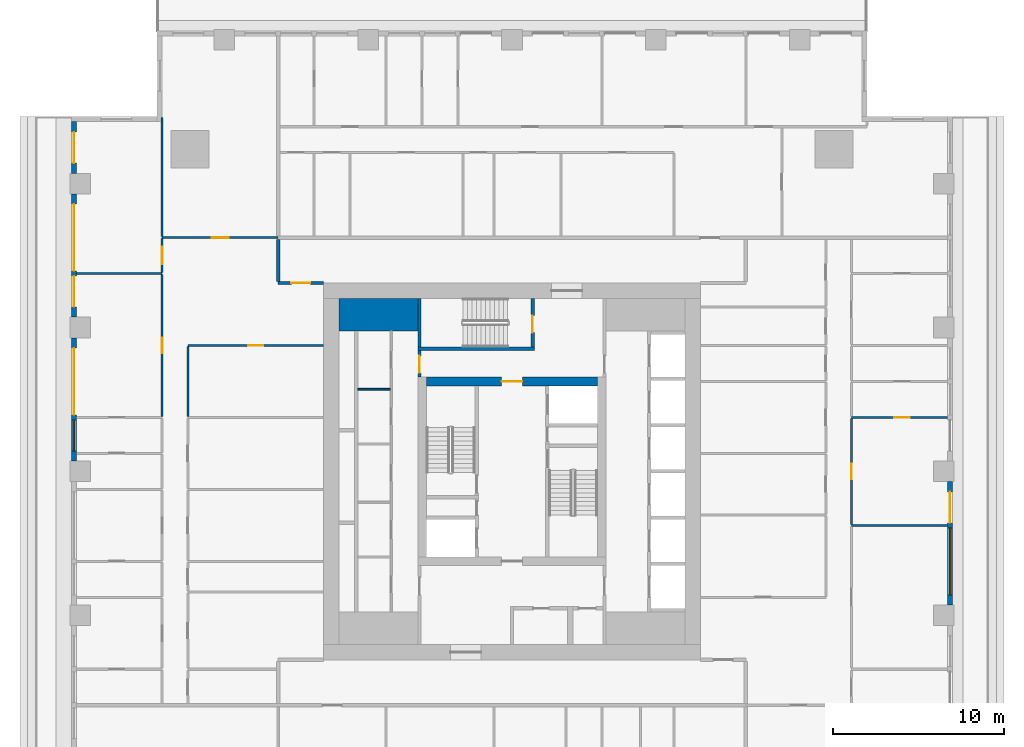
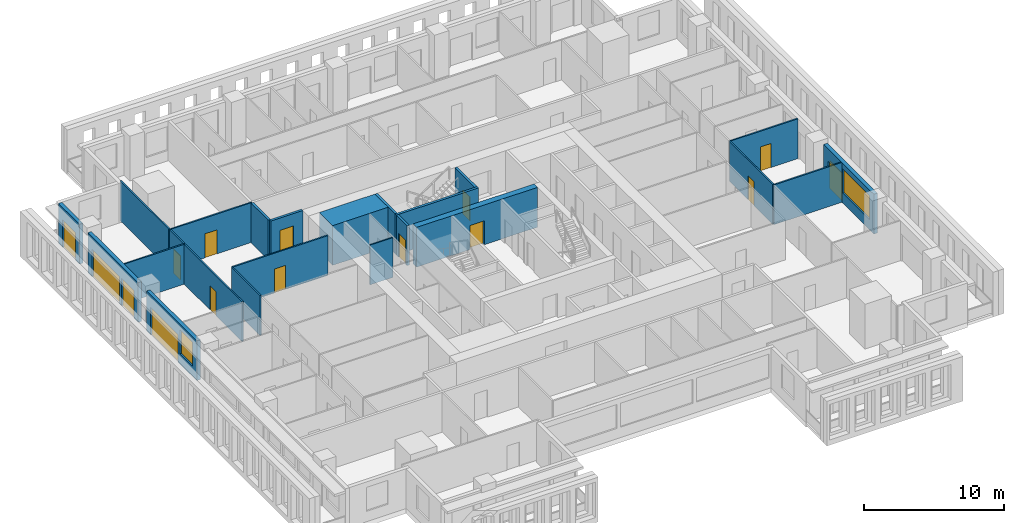
# One storey, part 6 of 14: 23 walls, 15 doors, 2 windows, 17 openings.
"""IFC4 building model written with IfcOpenShell, lengths in metres."""

from ifc_helpers import new_model, si_unit, direction, frame, frame_2d, origin, place, context, subcontext, project, spatial, rectangle, extrude, material, layer, layer_set, type_object, element, fill, save


model = new_model("IFC4")

# Units and contexts
model_context = context("Model", 3, precision=1e-05, world=origin(), true_north=direction((0.0, 1.0)))
body_context = subcontext(model_context, "Body", "Model", "MODEL_VIEW")
ifc_project = project(units=[si_unit("LENGTHUNIT", "METRE"), si_unit("AREAUNIT", "SQUARE_METRE"), si_unit("VOLUMEUNIT", "CUBIC_METRE"), si_unit("PLANEANGLEUNIT", "RADIAN"), si_unit("MASSUNIT", "GRAM", prefix="KILO")], contexts=[model_context])

# Site, building, storey
site_placement = place(None, origin())
site = spatial("IfcSite", under=ifc_project, at=site_placement, CompositionType="ELEMENT")
building_placement = place(site_placement, origin())
building = spatial("IfcBuilding", under=site, at=building_placement, Name="Khepri Terraces", CompositionType="ELEMENT")
storey_placement = place(building_placement, frame((0.0, 0.0, 267.89990234375)))
storey = spatial("IfcBuildingStorey", under=building, at=storey_placement, Name="L64", CompositionType="ELEMENT", Elevation=267.89990234375)

# Walls
ifc_material_1 = material(Name="Concrete C40/50", Category="concrete")
ifc_layer_1 = layer(ifc_material_1, 1.89990234375, Name="Concrete C40/50", Category="concrete")
ifc_layer_set_1 = layer_set([ifc_layer_1], Name="Concrete C40/50")
wall_type_1 = type_object("IfcWallType", Name="Core wall 1900 C40/50", PredefinedType="SHEAR", material=ifc_layer_set_1)
wall_1_placement = place(storey_placement, frame((-10.10009765625, 9.14990234375, 0.0), z_axis=(0.0, 0.0, 1.0), x_axis=(1.0, 0.0, 0.0)))
element("IfcWall", 1, at=wall_1_placement, inside=storey, type_object=wall_type_1, Name="Core wall PR03 L64", PredefinedType="SHEAR", context=body_context, shape_type="SweptSolid", body=[
    extrude(rectangle(XDim=4.60009765625, YDim=1.89990234375, at=frame_2d((2.300048828125, 0.0))), origin(), (0.0, 0.0, 1.0), 3.47998046875),
])
ifc_layer_2 = layer(ifc_material_1, 0.199951171875, Name="Concrete C40/50", Category="concrete")
ifc_layer_set_2 = layer_set([ifc_layer_2], Name="Concrete C40/50")
wall_type_2 = type_object("IfcWallType", Name="Core wall 200 C40/50", PredefinedType="SHEAR", material=ifc_layer_set_2)
wall_2_placement = place(storey_placement, frame((-5.5, 7.14990234375, 0.0), z_axis=(0.0, 0.0, 1.0), x_axis=(1.0, 0.0, 0.0)))
element("IfcWall", 2, at=wall_2_placement, inside=storey, type_object=wall_type_2, Name="Core wall ST05 L64", PredefinedType="SHEAR", context=body_context, shape_type="SweptSolid", body=[
    extrude(rectangle(XDim=6.800048828125, YDim=0.199951171875, at=frame_2d((3.39990234375, 0.0))), origin(), (0.0, 0.0, 1.0), 3.47998046875),
])
wall_3_placement = place(storey_placement, frame((-5.39990234375, 7.25, 0.0), z_axis=(0.0, 0.0, 1.0), x_axis=(0.0, 1.0, 0.0)))
element("IfcWall", 3, at=wall_3_placement, inside=storey, type_object=wall_type_2, Name="Core wall ST06 L64", PredefinedType="SHEAR", context=body_context, shape_type="SweptSolid", body=[
    extrude(rectangle(XDim=2.85009765625, YDim=0.199951171875, at=frame_2d((1.425048828125, 0.0))), origin(), (0.0, 0.0, 1.0), 3.47998046875),
])

# Wall, opening, door
wall_4_placement = place(storey_placement, frame((1.199951171875, 7.25, 0.0), z_axis=(0.0, 0.0, 1.0), x_axis=(0.0, 1.0, 0.0)))
wall_4 = element("IfcWall", 4, at=wall_4_placement, inside=storey, type_object=wall_type_2, Name="Core wall ST07 L64", PredefinedType="SHEAR", context=body_context, shape_type="SweptSolid", body=[
    extrude(rectangle(XDim=2.85009765625, YDim=0.199951171875, at=frame_2d((1.425048828125, 0.0))), origin(), (0.0, 0.0, 1.0), 3.47998046875),
])
opening_1_placement = place(wall_4_placement, frame((0.85009765625, 0.0, 0.0)))
opening_1 = element("IfcOpeningElement", 5, at=opening_1_placement, cuts=wall_4, Name="Opening L64-C15", PredefinedType="OPENING", context=body_context, shape_type="SweptSolid", body=[
    extrude(rectangle(XDim=1.0, YDim=2.10009765625, at=frame_2d((0.5, 1.050048828125))), frame((0.0, 0.10986328125, 0.0), z_axis=(0.0, -1.0, 0.0), x_axis=(1.0, 0.0, 0.0)), (0.0, 0.0, 1.0), 0.219970703125),
])
ifc_material_2 = material(Name="Painted steel", Category="steel")
door_type_1 = type_object("IfcDoorType", Name="DR-CORE-STAIR-1000", OperationType="NOTDEFINED", PredefinedType="DOOR", material=ifc_material_2)
door_1_placement = place(opening_1_placement, origin())
door_1 = element("IfcDoor", 6, at=door_1_placement, inside=storey, type_object=door_type_1, Name="Stair door L64-C15", OperationType="SINGLE_SWING_LEFT", OverallHeight=2.10009765625, OverallWidth=1.0, PredefinedType="DOOR", context=body_context, shape_type="SweptSolid", body=[
    extrude(rectangle(XDim=1.0, YDim=2.10009765625, at=frame_2d((0.5, 1.050048828125))), frame((0.0, 0.02490234375, 0.0), z_axis=(0.0, -1.0, 0.0), x_axis=(1.0, 0.0, 0.0)), (0.0, 0.0, 1.0), 0.050048828125),
])
fill(opening_1, door_1)

ifc_layer_3 = layer(ifc_material_1, 0.5, Name="Concrete C40/50", Category="concrete")
ifc_layer_set_3 = layer_set([ifc_layer_3], Name="Concrete C40/50")
wall_type_3 = type_object("IfcWallType", Name="Core wall 500 C40/50", PredefinedType="SHEAR", material=ifc_layer_set_3)
wall_5_placement = place(storey_placement, frame((-5.0, 5.25, 0.0), z_axis=(0.0, 0.0, 1.0), x_axis=(1.0, 0.0, 0.0)))
wall_5 = element("IfcWall", 7, at=wall_5_placement, inside=storey, type_object=wall_type_3, Name="Core wall BX04 L64", PredefinedType="SHEAR", context=body_context, shape_type="SweptSolid", body=[
    extrude(rectangle(XDim=10.0, YDim=0.5, at=frame_2d((5.0, 0.0))), origin(), (0.0, 0.0, 1.0), 3.47998046875),
])
opening_2_placement = place(wall_5_placement, frame((4.39990234375, 0.0, 0.0)))
opening_2 = element("IfcOpeningElement", 8, at=opening_2_placement, cuts=wall_5, Name="Opening L64-C13", PredefinedType="OPENING", context=body_context, shape_type="SweptSolid", body=[
    extrude(rectangle(XDim=1.199951171875, YDim=2.10009765625, at=frame_2d((0.60009765625, 1.050048828125))), frame((0.0, 0.260009765625, 0.0), z_axis=(0.0, -1.0, 0.0), x_axis=(1.0, 0.0, 0.0)), (0.0, 0.0, 1.0), 0.52001953125),
])
door_type_2 = type_object("IfcDoorType", Name="DR-CORE-FF-LOBBY-1200", OperationType="NOTDEFINED", PredefinedType="DOOR", material=ifc_material_2)
door_2_placement = place(opening_2_placement, frame((1.199951171875, 0.0, 0.0), z_axis=(0.0, 0.0, 1.0), x_axis=(-1.0, 0.0, 0.0)))
door_2 = element("IfcDoor", 9, at=door_2_placement, inside=storey, type_object=door_type_2, Name="Firefighting lobby door L64-C13", OperationType="SINGLE_SWING_LEFT", OverallHeight=2.10009765625, OverallWidth=1.199951171875, PredefinedType="DOOR", context=body_context, shape_type="SweptSolid", body=[
    extrude(rectangle(XDim=1.199951171875, YDim=2.10009765625, at=frame_2d((0.60009765625, 1.050048828125))), frame((0.0, 0.02490234375, 0.0), z_axis=(0.0, -1.0, 0.0), x_axis=(1.0, 0.0, 0.0)), (0.0, 0.0, 1.0), 0.050048828125),
])
fill(opening_2, door_2)

# Wall
ifc_material_3 = material(Name="Fire-rated gypsum board partition")
ifc_layer_4 = layer(ifc_material_3, 0.10009765625, Name="Fire-rated gypsum board partition")
ifc_layer_set_4 = layer_set([ifc_layer_4], Name="Fire-rated gypsum board partition")
wall_type_4 = type_object("IfcWallType", Name="WL-CORE-PART-100", PredefinedType="PARTITIONING", material=ifc_layer_set_4)
wall_6_placement = place(storey_placement, frame((-9.0, 4.800048828125, 0.0), z_axis=(0.0, 0.0, 1.0), x_axis=(1.0, 0.0, 0.0)))
element("IfcWall", 10, at=wall_6_placement, inside=storey, type_object=wall_type_4, Name="Core partition PT11 L64", PredefinedType="PARTITIONING", context=body_context, shape_type="SweptSolid", body=[
    extrude(rectangle(XDim=1.89990234375, YDim=0.10009765625, at=frame_2d((0.949951171875, 0.0))), origin(), (0.0, 0.0, 1.0), 3.47998046875),
])

# Wall, opening, door
ifc_layer_5 = layer(ifc_material_3, 0.199951171875, Name="Fire-rated gypsum board partition")
ifc_layer_set_5 = layer_set([ifc_layer_5], Name="Fire-rated gypsum board partition")
wall_type_5 = type_object("IfcWallType", Name="WL-CORE-PART-200", PredefinedType="PARTITIONING", material=ifc_layer_set_5)
wall_7_placement = place(storey_placement, frame((-5.39990234375, 5.5, 0.0), z_axis=(0.0, 0.0, 1.0), x_axis=(0.0, 1.0, 0.0)))
wall_7 = element("IfcWall", 11, at=wall_7_placement, inside=storey, type_object=wall_type_5, Name="Core partition PT12 L64", PredefinedType="PARTITIONING", context=body_context, shape_type="SweptSolid", body=[
    extrude(rectangle(XDim=1.550048828125, YDim=0.199951171875, at=frame_2d((0.77490234375, 0.0))), origin(), (0.0, 0.0, 1.0), 3.47998046875),
])
opening_3_placement = place(wall_7_placement, frame((0.25, 0.0, 0.0)))
opening_3 = element("IfcOpeningElement", 12, at=opening_3_placement, cuts=wall_7, Name="Opening L64-C16", PredefinedType="OPENING", context=body_context, shape_type="SweptSolid", body=[
    extrude(rectangle(XDim=1.0, YDim=2.10009765625, at=frame_2d((0.5, 1.050048828125))), frame((0.0, 0.10986328125, 0.0), z_axis=(0.0, -1.0, 0.0), x_axis=(1.0, 0.0, 0.0)), (0.0, 0.0, 1.0), 0.219970703125),
])
door_type_3 = type_object("IfcDoorType", Name="DR-CORE-LOBBY-1000", OperationType="NOTDEFINED", PredefinedType="DOOR", material=ifc_material_2)
door_3_placement = place(opening_3_placement, frame((1.0, 0.0, 0.0), z_axis=(0.0, 0.0, 1.0), x_axis=(-1.0, 0.0, 0.0)))
door_3 = element("IfcDoor", 13, at=door_3_placement, inside=storey, type_object=door_type_3, Name="Lobby door L64-C16", OperationType="SINGLE_SWING_RIGHT", OverallHeight=2.10009765625, OverallWidth=1.0, PredefinedType="DOOR", context=body_context, shape_type="SweptSolid", body=[
    extrude(rectangle(XDim=1.0, YDim=2.10009765625, at=frame_2d((0.5, 1.050048828125))), frame((0.0, 0.02490234375, 0.0), z_axis=(0.0, -1.0, 0.0), x_axis=(1.0, 0.0, 0.0)), (0.0, 0.0, 1.0), 0.050048828125),
])
fill(opening_3, door_3)

ifc_material_4 = material(Name="Fire-rated gypsum plasterboard partition, mineral wool")
ifc_layer_6 = layer(ifc_material_4, 0.199951171875, Name="Fire-rated gypsum plasterboard partition, mineral wool")
ifc_layer_set_6 = layer_set([ifc_layer_6], Name="Fire-rated gypsum plasterboard partition, mineral wool")
wall_type_6 = type_object("IfcWallType", Name="WL-CORR-200", PredefinedType="PARTITIONING", material=ifc_layer_set_6)
wall_8_placement = place(storey_placement, frame((-13.64990234375, 11.0, 0.0), z_axis=(0.0, 0.0, 1.0), x_axis=(1.0, 0.0, 0.0)))
wall_8 = element("IfcWall", 14, at=wall_8_placement, inside=storey, type_object=wall_type_6, Name="Partition P-072 L64", PredefinedType="PARTITIONING", context=body_context, shape_type="SweptSolid", body=[
    extrude(rectangle(XDim=2.64990234375, YDim=0.199951171875, at=frame_2d((1.324951171875, 0.0))), origin(), (0.0, 0.0, 1.0), 3.47998046875),
])
opening_4_placement = place(wall_8_placement, frame((0.77490234375, 0.0, 0.0)))
opening_4 = element("IfcOpeningElement", 15, at=opening_4_placement, cuts=wall_8, Name="Opening D1", PredefinedType="OPENING", context=body_context, shape_type="SweptSolid", body=[
    extrude(rectangle(XDim=1.10009765625, YDim=2.39990234375, at=frame_2d((0.550048828125, 1.199951171875))), frame((0.0, 0.10986328125, 0.0), z_axis=(0.0, -1.0, 0.0), x_axis=(1.0, 0.0, 0.0)), (0.0, 0.0, 1.0), 0.219970703125),
])
ifc_material_5 = material(Name="Solid-core timber door leaf, flat entrance door", Category="wood")
door_type_4 = type_object("IfcDoorType", Name="DR-ENT-1100", OperationType="NOTDEFINED", PredefinedType="DOOR", material=ifc_material_5)
door_4_placement = place(opening_4_placement, frame((1.10009765625, 0.0, 0.0), z_axis=(0.0, 0.0, 1.0), x_axis=(-1.0, 0.0, 0.0)))
door_4 = element("IfcDoor", 16, at=door_4_placement, inside=storey, type_object=door_type_4, Name="Flat D1 entrance door", OperationType="SINGLE_SWING_LEFT", OverallHeight=2.39990234375, OverallWidth=1.10009765625, PredefinedType="DOOR", context=body_context, shape_type="SweptSolid", body=[
    extrude(rectangle(XDim=1.10009765625, YDim=2.39990234375, at=frame_2d((0.550048828125, 1.199951171875))), frame((0.0, 0.02490234375, 0.0), z_axis=(0.0, -1.0, 0.0), x_axis=(1.0, 0.0, 0.0)), (0.0, 0.0, 1.0), 0.050048828125),
])
fill(opening_4, door_4)

# Wall
wall_9_placement = place(storey_placement, frame((-13.64990234375, 11.10009765625, 0.0), z_axis=(0.0, 0.0, 1.0), x_axis=(0.0, 1.0, 0.0)))
element("IfcWall", 17, at=wall_9_placement, inside=storey, type_object=wall_type_6, Name="Partition P-074 L64", PredefinedType="PARTITIONING", context=body_context, shape_type="SweptSolid", body=[
    extrude(rectangle(XDim=2.449951171875, YDim=0.199951171875, at=frame_2d((1.22509765625, 0.0))), origin(), (0.0, 0.0, 1.0), 3.47998046875),
])

# Wall, openings, door, window
ifc_material_6 = material(Name="Precast concrete C50/60 warm stone", Category="masonry")
ifc_layer_7 = layer(ifc_material_6, 0.300048828125, Name="Precast concrete C50/60 warm stone", Category="masonry")
ifc_layer_set_7 = layer_set([ifc_layer_7], Name="Precast concrete C50/60 warm stone")
wall_type_7 = type_object("IfcWallType", Name="WL-EXT-PRECAST-300", PredefinedType="STANDARD", material=ifc_layer_set_7)
wall_10_placement = place(storey_placement, frame((25.570068359375, -7.800048828125, 0.0), z_axis=(0.0, 0.0, 1.0), x_axis=(0.0, 1.0, 0.0)))
wall_10 = element("IfcWall", 18, at=wall_10_placement, inside=storey, type_object=wall_type_7, Name="External wall L64 E", PredefinedType="STANDARD", context=body_context, shape_type="SweptSolid", body=[
    extrude(rectangle(XDim=7.199951171875, YDim=0.300048828125, at=frame_2d((3.60009765625, 0.0))), origin(), (0.0, 0.0, 1.0), 3.47998046875),
])
opening_5_placement = place(wall_10_placement, frame((0.60009765625, 0.0, 0.89990234375)))
opening_5 = element("IfcOpeningElement", 19, at=opening_5_placement, cuts=wall_10, Name="Opening W2", PredefinedType="OPENING", context=body_context, shape_type="SweptSolid", body=[
    extrude(rectangle(XDim=3.89990234375, YDim=2.10009765625, at=frame_2d((1.949951171875, 1.050048828125))), frame((0.0, 0.16015625, 0.0), z_axis=(0.0, -1.0, 0.0), x_axis=(1.0, 0.0, 0.0)), (0.0, 0.0, 1.0), 0.320068359375),
])
opening_6_placement = place(wall_10_placement, frame((4.800048828125, 0.0, 0.0)))
opening_6 = element("IfcOpeningElement", 20, at=opening_6_placement, cuts=wall_10, Name="Opening ED-L64-03", PredefinedType="OPENING", context=body_context, shape_type="SweptSolid", body=[
    extrude(rectangle(XDim=1.800048828125, YDim=2.39990234375, at=frame_2d((0.89990234375, 1.199951171875))), frame((0.0, 0.16015625, 0.0), z_axis=(0.0, -1.0, 0.0), x_axis=(1.0, 0.0, 0.0)), (0.0, 0.0, 1.0), 0.320068359375),
])
ifc_material_7 = material(Name="Anodised aluminium bronze glazed door", Category="aluminium")
door_type_5 = type_object("IfcDoorType", Name="DR-BAL-SLIDE-1800x2400", OperationType="NOTDEFINED", PredefinedType="DOOR", material=ifc_material_7)
door_5_placement = place(opening_6_placement, origin())
door_5 = element("IfcDoor", 21, at=door_5_placement, inside=storey, type_object=door_type_5, Name="Balcony door L64 E", OperationType="SLIDING_TO_RIGHT", OverallHeight=2.39990234375, OverallWidth=1.800048828125, PredefinedType="DOOR", context=body_context, shape_type="SweptSolid", body=[
    extrude(rectangle(XDim=1.800048828125, YDim=2.39990234375, at=frame_2d((0.89990234375, 1.199951171875))), frame((0.0, 0.02490234375, 0.0), z_axis=(0.0, -1.0, 0.0), x_axis=(1.0, 0.0, 0.0)), (0.0, 0.0, 1.0), 0.050048828125),
])
fill(opening_6, door_5)
ifc_material_8 = material(Name="Clear glass", Category="glass")
window_type_1 = type_object("IfcWindowType", Name="WIN-RES-3900x2100", PartitioningType="SINGLE_PANEL", PredefinedType="WINDOW", material=ifc_material_8)
window_1_placement = place(opening_5_placement, origin())
window_1 = element("IfcWindow", 22, at=window_1_placement, inside=storey, type_object=window_type_1, Name="Window L64 E", OverallHeight=2.10009765625, OverallWidth=3.89990234375, PartitioningType="SINGLE_PANEL", PredefinedType="WINDOW", context=body_context, shape_type="SweptSolid", body=[
    extrude(rectangle(XDim=3.89990234375, YDim=2.10009765625, at=frame_2d((1.949951171875, 1.050048828125))), frame((0.0, 0.030029296875, 0.0), z_axis=(0.0, -1.0, 0.0), x_axis=(1.0, 0.0, 0.0)), (0.0, 0.0, 1.0), 0.06005859375),
])
fill(opening_5, window_1)

# Wall, opening, door
wall_11_placement = place(storey_placement, frame((-25.570068359375, 20.419921875, 0.0), z_axis=(0.0, 0.0, 1.0), x_axis=(0.0, -1.0, 0.0)))
wall_11 = element("IfcWall", 23, at=wall_11_placement, inside=storey, type_object=wall_type_7, Name="External wall L64 W", PredefinedType="STANDARD", context=body_context, shape_type="SweptSolid", body=[
    extrude(rectangle(XDim=3.02001953125, YDim=0.300048828125, at=frame_2d((1.510009765625, 0.0))), origin(), (0.0, 0.0, 1.0), 3.47998046875),
])
opening_7_placement = place(wall_11_placement, frame((0.6201171875, 0.0, 0.0)))
opening_7 = element("IfcOpeningElement", 24, at=opening_7_placement, cuts=wall_11, Name="Opening ED-L64-11", PredefinedType="OPENING", context=body_context, shape_type="SweptSolid", body=[
    extrude(rectangle(XDim=1.800048828125, YDim=2.39990234375, at=frame_2d((0.89990234375, 1.199951171875))), frame((0.0, 0.16015625, 0.0), z_axis=(0.0, -1.0, 0.0), x_axis=(1.0, 0.0, 0.0)), (0.0, 0.0, 1.0), 0.320068359375),
])
door_6_placement = place(opening_7_placement, origin())
door_6 = element("IfcDoor", 25, at=door_6_placement, inside=storey, type_object=door_type_5, Name="Balcony door L64 W", OperationType="SLIDING_TO_RIGHT", OverallHeight=2.39990234375, OverallWidth=1.800048828125, PredefinedType="DOOR", context=body_context, shape_type="SweptSolid", body=[
    extrude(rectangle(XDim=1.800048828125, YDim=2.39990234375, at=frame_2d((0.89990234375, 1.199951171875))), frame((0.0, 0.02490234375, 0.0), z_axis=(0.0, -1.0, 0.0), x_axis=(1.0, 0.0, 0.0)), (0.0, 0.0, 1.0), 0.050048828125),
])
fill(opening_7, door_6)

# Wall, openings, doors
wall_12_placement = place(storey_placement, frame((-25.570068359375, 16.199951171875, 0.0), z_axis=(0.0, 0.0, 1.0), x_axis=(0.0, -1.0, 0.0)))
wall_12 = element("IfcWall", 26, at=wall_12_placement, inside=storey, type_object=wall_type_7, Name="External wall L64 W", PredefinedType="STANDARD", context=body_context, shape_type="SweptSolid", body=[
    extrude(rectangle(XDim=7.199951171875, YDim=0.300048828125, at=frame_2d((3.60009765625, 0.0))), origin(), (0.0, 0.0, 1.0), 3.47998046875),
])
opening_8_placement = place(wall_12_placement, frame((0.60009765625, 0.0, 0.0)))
opening_8 = element("IfcOpeningElement", 27, at=opening_8_placement, cuts=wall_12, Name="Opening ED-L64-12", PredefinedType="OPENING", context=body_context, shape_type="SweptSolid", body=[
    extrude(rectangle(XDim=3.89990234375, YDim=2.39990234375, at=frame_2d((1.949951171875, 1.199951171875))), frame((0.0, 0.16015625, 0.0), z_axis=(0.0, -1.0, 0.0), x_axis=(1.0, 0.0, 0.0)), (0.0, 0.0, 1.0), 0.320068359375),
])
opening_9_placement = place(wall_12_placement, frame((4.800048828125, 0.0, 0.0)))
opening_9 = element("IfcOpeningElement", 28, at=opening_9_placement, cuts=wall_12, Name="Opening ED-L64-13", PredefinedType="OPENING", context=body_context, shape_type="SweptSolid", body=[
    extrude(rectangle(XDim=1.800048828125, YDim=2.39990234375, at=frame_2d((0.89990234375, 1.199951171875))), frame((0.0, 0.16015625, 0.0), z_axis=(0.0, -1.0, 0.0), x_axis=(1.0, 0.0, 0.0)), (0.0, 0.0, 1.0), 0.320068359375),
])
door_7_placement = place(opening_9_placement, origin())
door_7 = element("IfcDoor", 29, at=door_7_placement, inside=storey, type_object=door_type_5, Name="Balcony door L64 W", OperationType="SLIDING_TO_RIGHT", OverallHeight=2.39990234375, OverallWidth=1.800048828125, PredefinedType="DOOR", context=body_context, shape_type="SweptSolid", body=[
    extrude(rectangle(XDim=1.800048828125, YDim=2.39990234375, at=frame_2d((0.89990234375, 1.199951171875))), frame((0.0, 0.02490234375, 0.0), z_axis=(0.0, -1.0, 0.0), x_axis=(1.0, 0.0, 0.0)), (0.0, 0.0, 1.0), 0.050048828125),
])
fill(opening_9, door_7)
door_type_6 = type_object("IfcDoorType", Name="DR-BAL-SLIDE-3900x2400", OperationType="NOTDEFINED", PredefinedType="DOOR", material=ifc_material_7)
door_8_placement = place(opening_8_placement, origin())
door_8 = element("IfcDoor", 30, at=door_8_placement, inside=storey, type_object=door_type_6, Name="Balcony door L64 W", OperationType="SLIDING_TO_LEFT", OverallHeight=2.39990234375, OverallWidth=3.89990234375, PredefinedType="DOOR", context=body_context, shape_type="SweptSolid", body=[
    extrude(rectangle(XDim=3.89990234375, YDim=2.39990234375, at=frame_2d((1.949951171875, 1.199951171875))), frame((0.0, 0.02490234375, 0.0), z_axis=(0.0, -1.0, 0.0), x_axis=(1.0, 0.0, 0.0)), (0.0, 0.0, 1.0), 0.050048828125),
])
fill(opening_8, door_8)

# Wall, openings, door, window
wall_13_placement = place(storey_placement, frame((-25.570068359375, 7.800048828125, 0.0), z_axis=(0.0, 0.0, 1.0), x_axis=(0.0, -1.0, 0.0)))
wall_13 = element("IfcWall", 31, at=wall_13_placement, inside=storey, type_object=wall_type_7, Name="External wall L64 W", PredefinedType="STANDARD", context=body_context, shape_type="SweptSolid", body=[
    extrude(rectangle(XDim=7.199951171875, YDim=0.300048828125, at=frame_2d((3.60009765625, 0.0))), origin(), (0.0, 0.0, 1.0), 3.47998046875),
])
opening_10_placement = place(wall_13_placement, frame((0.60009765625, 0.0, 0.0)))
opening_10 = element("IfcOpeningElement", 32, at=opening_10_placement, cuts=wall_13, Name="Opening ED-L64-14", PredefinedType="OPENING", context=body_context, shape_type="SweptSolid", body=[
    extrude(rectangle(XDim=3.89990234375, YDim=2.39990234375, at=frame_2d((1.949951171875, 1.199951171875))), frame((0.0, 0.16015625, 0.0), z_axis=(0.0, -1.0, 0.0), x_axis=(1.0, 0.0, 0.0)), (0.0, 0.0, 1.0), 0.320068359375),
])
opening_11_placement = place(wall_13_placement, frame((4.800048828125, 0.0, 0.89990234375)))
opening_11 = element("IfcOpeningElement", 33, at=opening_11_placement, cuts=wall_13, Name="Opening W1", PredefinedType="OPENING", context=body_context, shape_type="SweptSolid", body=[
    extrude(rectangle(XDim=1.800048828125, YDim=2.10009765625, at=frame_2d((0.89990234375, 1.050048828125))), frame((0.0, 0.16015625, 0.0), z_axis=(0.0, -1.0, 0.0), x_axis=(1.0, 0.0, 0.0)), (0.0, 0.0, 1.0), 0.320068359375),
])
door_9_placement = place(opening_10_placement, origin())
door_9 = element("IfcDoor", 34, at=door_9_placement, inside=storey, type_object=door_type_6, Name="Balcony door L64 W", OperationType="SLIDING_TO_LEFT", OverallHeight=2.39990234375, OverallWidth=3.89990234375, PredefinedType="DOOR", context=body_context, shape_type="SweptSolid", body=[
    extrude(rectangle(XDim=3.89990234375, YDim=2.39990234375, at=frame_2d((1.949951171875, 1.199951171875))), frame((0.0, 0.02490234375, 0.0), z_axis=(0.0, -1.0, 0.0), x_axis=(1.0, 0.0, 0.0)), (0.0, 0.0, 1.0), 0.050048828125),
])
fill(opening_10, door_9)
window_type_2 = type_object("IfcWindowType", Name="WIN-RES-1800x2100", PartitioningType="SINGLE_PANEL", PredefinedType="WINDOW", material=ifc_material_8)
window_2_placement = place(opening_11_placement, origin())
window_2 = element("IfcWindow", 35, at=window_2_placement, inside=storey, type_object=window_type_2, Name="Window L64 W", OverallHeight=2.10009765625, OverallWidth=1.800048828125, PartitioningType="SINGLE_PANEL", PredefinedType="WINDOW", context=body_context, shape_type="SweptSolid", body=[
    extrude(rectangle(XDim=1.800048828125, YDim=2.10009765625, at=frame_2d((0.89990234375, 1.050048828125))), frame((0.0, 0.030029296875, 0.0), z_axis=(0.0, -1.0, 0.0), x_axis=(1.0, 0.0, 0.0)), (0.0, 0.0, 1.0), 0.06005859375),
])
fill(opening_11, window_2)

# Wall
ifc_material_9 = material(Name="Gypsum plasterboard partition")
ifc_layer_8 = layer(ifc_material_9, 0.1201171875, Name="Gypsum plasterboard partition")
ifc_layer_set_8 = layer_set([ifc_layer_8], Name="Gypsum plasterboard partition")
wall_type_8 = type_object("IfcWallType", Name="WL-PART-120", PredefinedType="PARTITIONING", material=ifc_layer_set_8)
wall_14_placement = place(storey_placement, frame((19.820068359375, -3.14990234375, 0.0), z_axis=(0.0, 0.0, 1.0), x_axis=(1.0, 0.0, 0.0)))
element("IfcWall", 36, at=wall_14_placement, inside=storey, type_object=wall_type_8, Name="Partition P-043 L64", PredefinedType="PARTITIONING", context=body_context, shape_type="SweptSolid", body=[
    extrude(rectangle(XDim=5.599853515625, YDim=0.1201171875, at=frame_2d((2.7998046875, 0.0))), origin(), (0.0, 0.0, 1.0), 3.47998046875),
])

# Wall, opening, door
wall_15_placement = place(storey_placement, frame((19.820068359375, -3.090087890625, 0.0), z_axis=(0.0, 0.0, 1.0), x_axis=(0.0, 1.0, 0.0)))
wall_15 = element("IfcWall", 37, at=wall_15_placement, inside=storey, type_object=wall_type_8, Name="Partition P-044 L64", PredefinedType="PARTITIONING", context=body_context, shape_type="SweptSolid", body=[
    extrude(rectangle(XDim=6.18017578125, YDim=0.1201171875, at=frame_2d((3.090087890625, 0.0))), origin(), (0.0, 0.0, 1.0), 3.47998046875),
])
opening_12_placement = place(wall_15_placement, frame((2.639892578125, 0.0, 0.0)))
opening_12 = element("IfcOpeningElement", 38, at=opening_12_placement, cuts=wall_15, Name="Opening D3", PredefinedType="OPENING", context=body_context, shape_type="SweptSolid", body=[
    extrude(rectangle(XDim=0.89990234375, YDim=2.10009765625, at=frame_2d((0.449951171875, 1.050048828125))), frame((0.0, 0.070068359375, 0.0), z_axis=(0.0, -1.0, 0.0), x_axis=(1.0, 0.0, 0.0)), (0.0, 0.0, 1.0), 0.14013671875),
])
ifc_material_10 = material(Name="Timber door leaf", Category="wood")
door_type_7 = type_object("IfcDoorType", Name="DR-INT-900", OperationType="NOTDEFINED", PredefinedType="DOOR", material=ifc_material_10)
door_10_placement = place(opening_12_placement, frame((0.89990234375, 0.0, 0.0), z_axis=(0.0, 0.0, 1.0), x_axis=(-1.0, 0.0, 0.0)))
door_10 = element("IfcDoor", 39, at=door_10_placement, inside=storey, type_object=door_type_7, Name="Door Master Bedroom", OperationType="SINGLE_SWING_LEFT", OverallHeight=2.10009765625, OverallWidth=0.89990234375, PredefinedType="DOOR", context=body_context, shape_type="SweptSolid", body=[
    extrude(rectangle(XDim=0.89990234375, YDim=2.10009765625, at=frame_2d((0.449951171875, 1.050048828125))), frame((0.0, 0.02490234375, 0.0), z_axis=(0.0, -1.0, 0.0), x_axis=(1.0, 0.0, 0.0)), (0.0, 0.0, 1.0), 0.050048828125),
])
fill(opening_12, door_10)

wall_16_placement = place(storey_placement, frame((19.820068359375, 3.14990234375, 0.0), z_axis=(0.0, 0.0, 1.0), x_axis=(1.0, 0.0, 0.0)))
wall_16 = element("IfcWall", 40, at=wall_16_placement, inside=storey, type_object=wall_type_8, Name="Partition P-057 L64", PredefinedType="PARTITIONING", context=body_context, shape_type="SweptSolid", body=[
    extrude(rectangle(XDim=5.599853515625, YDim=0.1201171875, at=frame_2d((2.7998046875, 0.0))), origin(), (0.0, 0.0, 1.0), 3.47998046875),
])
opening_13_placement = place(wall_16_placement, frame((2.5, 0.0, 0.0)))
opening_13 = element("IfcOpeningElement", 41, at=opening_13_placement, cuts=wall_16, Name="Opening D3", PredefinedType="OPENING", context=body_context, shape_type="SweptSolid", body=[
    extrude(rectangle(XDim=0.89990234375, YDim=2.10009765625, at=frame_2d((0.449951171875, 1.050048828125))), frame((0.0, 0.070068359375, 0.0), z_axis=(0.0, -1.0, 0.0), x_axis=(1.0, 0.0, 0.0)), (0.0, 0.0, 1.0), 0.14013671875),
])
door_11_placement = place(opening_13_placement, origin())
door_11 = element("IfcDoor", 42, at=door_11_placement, inside=storey, type_object=door_type_7, Name="Door Dressing Room", OperationType="SINGLE_SWING_RIGHT", OverallHeight=2.10009765625, OverallWidth=0.89990234375, PredefinedType="DOOR", context=body_context, shape_type="SweptSolid", body=[
    extrude(rectangle(XDim=0.89990234375, YDim=2.10009765625, at=frame_2d((0.449951171875, 1.050048828125))), frame((0.0, 0.02490234375, 0.0), z_axis=(0.0, -1.0, 0.0), x_axis=(1.0, 0.0, 0.0)), (0.0, 0.0, 1.0), 0.050048828125),
])
fill(opening_13, door_11)

wall_17_placement = place(storey_placement, frame((-20.419921875, 3.2099609375, 0.0), z_axis=(0.0, 0.0, 1.0), x_axis=(0.0, 1.0, 0.0)))
wall_17 = element("IfcWall", 43, at=wall_17_placement, inside=storey, type_object=wall_type_8, Name="Partition P-058 L64", PredefinedType="PARTITIONING", context=body_context, shape_type="SweptSolid", body=[
    extrude(rectangle(XDim=8.280029296875, YDim=0.1201171875, at=frame_2d((4.14013671875, 0.0))), origin(), (0.0, 0.0, 1.0), 3.47998046875),
])
opening_14_placement = place(wall_17_placement, frame((3.68994140625, 0.0, 0.0)))
opening_14 = element("IfcOpeningElement", 44, at=opening_14_placement, cuts=wall_17, Name="Opening D3", PredefinedType="OPENING", context=body_context, shape_type="SweptSolid", body=[
    extrude(rectangle(XDim=0.89990234375, YDim=2.10009765625, at=frame_2d((0.449951171875, 1.050048828125))), frame((0.0, 0.070068359375, 0.0), z_axis=(0.0, -1.0, 0.0), x_axis=(1.0, 0.0, 0.0)), (0.0, 0.0, 1.0), 0.14013671875),
])
door_12_placement = place(opening_14_placement, origin())
door_12 = element("IfcDoor", 45, at=door_12_placement, inside=storey, type_object=door_type_7, Name="Door Master Bedroom", OperationType="SINGLE_SWING_RIGHT", OverallHeight=2.10009765625, OverallWidth=0.89990234375, PredefinedType="DOOR", context=body_context, shape_type="SweptSolid", body=[
    extrude(rectangle(XDim=0.89990234375, YDim=2.10009765625, at=frame_2d((0.449951171875, 1.050048828125))), frame((0.0, 0.02490234375, 0.0), z_axis=(0.0, -1.0, 0.0), x_axis=(1.0, 0.0, 0.0)), (0.0, 0.0, 1.0), 0.050048828125),
])
fill(opening_14, door_12)

# Wall
wall_18_placement = place(storey_placement, frame((-18.919921875, 3.2099609375, 0.0), z_axis=(0.0, 0.0, 1.0), x_axis=(0.0, 1.0, 0.0)))
element("IfcWall", 46, at=wall_18_placement, inside=storey, type_object=wall_type_8, Name="Partition P-059 L64", PredefinedType="PARTITIONING", context=body_context, shape_type="SweptSolid", body=[
    extrude(rectangle(XDim=4.080078125, YDim=0.1201171875, at=frame_2d((2.0400390625, 0.0))), origin(), (0.0, 0.0, 1.0), 3.47998046875),
])

# Wall, opening, door
wall_19_placement = place(storey_placement, frame((-18.919921875, 7.35009765625, 0.0), z_axis=(0.0, 0.0, 1.0), x_axis=(1.0, 0.0, 0.0)))
wall_19 = element("IfcWall", 47, at=wall_19_placement, inside=storey, type_object=wall_type_8, Name="Partition P-065 L64", PredefinedType="PARTITIONING", context=body_context, shape_type="SweptSolid", body=[
    extrude(rectangle(XDim=7.919921875, YDim=0.1201171875, at=frame_2d((3.9599609375, 0.0))), origin(), (0.0, 0.0, 1.0), 3.47998046875),
])
opening_15_placement = place(wall_19_placement, frame((3.510009765625, 0.0, 0.0)))
opening_15 = element("IfcOpeningElement", 48, at=opening_15_placement, cuts=wall_19, Name="Opening D3", PredefinedType="OPENING", context=body_context, shape_type="SweptSolid", body=[
    extrude(rectangle(XDim=0.89990234375, YDim=2.10009765625, at=frame_2d((0.449951171875, 1.050048828125))), frame((0.0, 0.070068359375, 0.0), z_axis=(0.0, -1.0, 0.0), x_axis=(1.0, 0.0, 0.0)), (0.0, 0.0, 1.0), 0.14013671875),
])
door_13_placement = place(opening_15_placement, frame((0.89990234375, 0.0, 0.0), z_axis=(0.0, 0.0, 1.0), x_axis=(-1.0, 0.0, 0.0)))
door_13 = element("IfcDoor", 49, at=door_13_placement, inside=storey, type_object=door_type_7, Name="Door Kitchen", OperationType="SINGLE_SWING_LEFT", OverallHeight=2.10009765625, OverallWidth=0.89990234375, PredefinedType="DOOR", context=body_context, shape_type="SweptSolid", body=[
    extrude(rectangle(XDim=0.89990234375, YDim=2.10009765625, at=frame_2d((0.449951171875, 1.050048828125))), frame((0.0, 0.02490234375, 0.0), z_axis=(0.0, -1.0, 0.0), x_axis=(1.0, 0.0, 0.0)), (0.0, 0.0, 1.0), 0.050048828125),
])
fill(opening_15, door_13)

# Wall
wall_20_placement = place(storey_placement, frame((-25.419921875, 11.550048828125, 0.0), z_axis=(0.0, 0.0, 1.0), x_axis=(1.0, 0.0, 0.0)))
element("IfcWall", 50, at=wall_20_placement, inside=storey, type_object=wall_type_8, Name="Partition P-076 L64", PredefinedType="PARTITIONING", context=body_context, shape_type="SweptSolid", body=[
    extrude(rectangle(XDim=5.0, YDim=0.1201171875, at=frame_2d((2.5, 0.0))), origin(), (0.0, 0.0, 1.0), 3.47998046875),
])

# Wall, opening, door
wall_21_placement = place(storey_placement, frame((-20.419921875, 11.610107421875, 0.0), z_axis=(0.0, 0.0, 1.0), x_axis=(0.0, 1.0, 0.0)))
wall_21 = element("IfcWall", 51, at=wall_21_placement, inside=storey, type_object=wall_type_8, Name="Partition P-078 L64", PredefinedType="PARTITIONING", context=body_context, shape_type="SweptSolid", body=[
    extrude(rectangle(XDim=1.97998046875, YDim=0.1201171875, at=frame_2d((0.989990234375, 0.0))), origin(), (0.0, 0.0, 1.0), 3.47998046875),
])
opening_16_placement = place(wall_21_placement, frame((0.489990234375, 0.0, 0.0)))
opening_16 = element("IfcOpeningElement", 52, at=opening_16_placement, cuts=wall_21, Name="Opening D2", PredefinedType="OPENING", context=body_context, shape_type="SweptSolid", body=[
    extrude(rectangle(XDim=1.0, YDim=2.10009765625, at=frame_2d((0.5, 1.050048828125))), frame((0.0, 0.070068359375, 0.0), z_axis=(0.0, -1.0, 0.0), x_axis=(1.0, 0.0, 0.0)), (0.0, 0.0, 1.0), 0.14013671875),
])
ifc_material_11 = material(Name="Timber door leaf, living room door", Category="wood")
door_type_8 = type_object("IfcDoorType", Name="DR-INT-1000", OperationType="NOTDEFINED", PredefinedType="DOOR", material=ifc_material_11)
door_14_placement = place(opening_16_placement, origin())
door_14 = element("IfcDoor", 53, at=door_14_placement, inside=storey, type_object=door_type_8, Name="Door Living Room", OperationType="SINGLE_SWING_RIGHT", OverallHeight=2.10009765625, OverallWidth=1.0, PredefinedType="DOOR", context=body_context, shape_type="SweptSolid", body=[
    extrude(rectangle(XDim=1.0, YDim=2.10009765625, at=frame_2d((0.5, 1.050048828125))), frame((0.0, 0.02490234375, 0.0), z_axis=(0.0, -1.0, 0.0), x_axis=(1.0, 0.0, 0.0)), (0.0, 0.0, 1.0), 0.050048828125),
])
fill(opening_16, door_14)

wall_22_placement = place(storey_placement, frame((-20.419921875, 13.64990234375, 0.0), z_axis=(0.0, 0.0, 1.0), x_axis=(1.0, 0.0, 0.0)))
wall_22 = element("IfcWall", 54, at=wall_22_placement, inside=storey, type_object=wall_type_8, Name="Partition P-080 L64", PredefinedType="PARTITIONING", context=body_context, shape_type="SweptSolid", body=[
    extrude(rectangle(XDim=6.77001953125, YDim=0.1201171875, at=frame_2d((3.385009765625, 0.0))), origin(), (0.0, 0.0, 1.0), 3.47998046875),
])
opening_17_placement = place(wall_22_placement, frame((2.885009765625, 0.0, 0.0)))
opening_17 = element("IfcOpeningElement", 55, at=opening_17_placement, cuts=wall_22, Name="Opening D2", PredefinedType="OPENING", context=body_context, shape_type="SweptSolid", body=[
    extrude(rectangle(XDim=1.0, YDim=2.10009765625, at=frame_2d((0.5, 1.050048828125))), frame((0.0, 0.070068359375, 0.0), z_axis=(0.0, -1.0, 0.0), x_axis=(1.0, 0.0, 0.0)), (0.0, 0.0, 1.0), 0.14013671875),
])
door_15_placement = place(opening_17_placement, origin())
door_15 = element("IfcDoor", 56, at=door_15_placement, inside=storey, type_object=door_type_8, Name="Door Family Room", OperationType="SINGLE_SWING_RIGHT", OverallHeight=2.10009765625, OverallWidth=1.0, PredefinedType="DOOR", context=body_context, shape_type="SweptSolid", body=[
    extrude(rectangle(XDim=1.0, YDim=2.10009765625, at=frame_2d((0.5, 1.050048828125))), frame((0.0, 0.02490234375, 0.0), z_axis=(0.0, -1.0, 0.0), x_axis=(1.0, 0.0, 0.0)), (0.0, 0.0, 1.0), 0.050048828125),
])
fill(opening_17, door_15)

# Wall
wall_23_placement = place(storey_placement, frame((-20.419921875, 13.7099609375, 0.0), z_axis=(0.0, 0.0, 1.0), x_axis=(0.0, 1.0, 0.0)))
element("IfcWall", 57, at=wall_23_placement, inside=storey, type_object=wall_type_8, Name="Partition P-082 L64", PredefinedType="PARTITIONING", context=body_context, shape_type="SweptSolid", body=[
    extrude(rectangle(XDim=6.948974609375, YDim=0.1201171875, at=frame_2d((3.474609375, 0.0))), origin(), (0.0, 0.0, 1.0), 3.47998046875),
])

save(model, "model.ifc")
